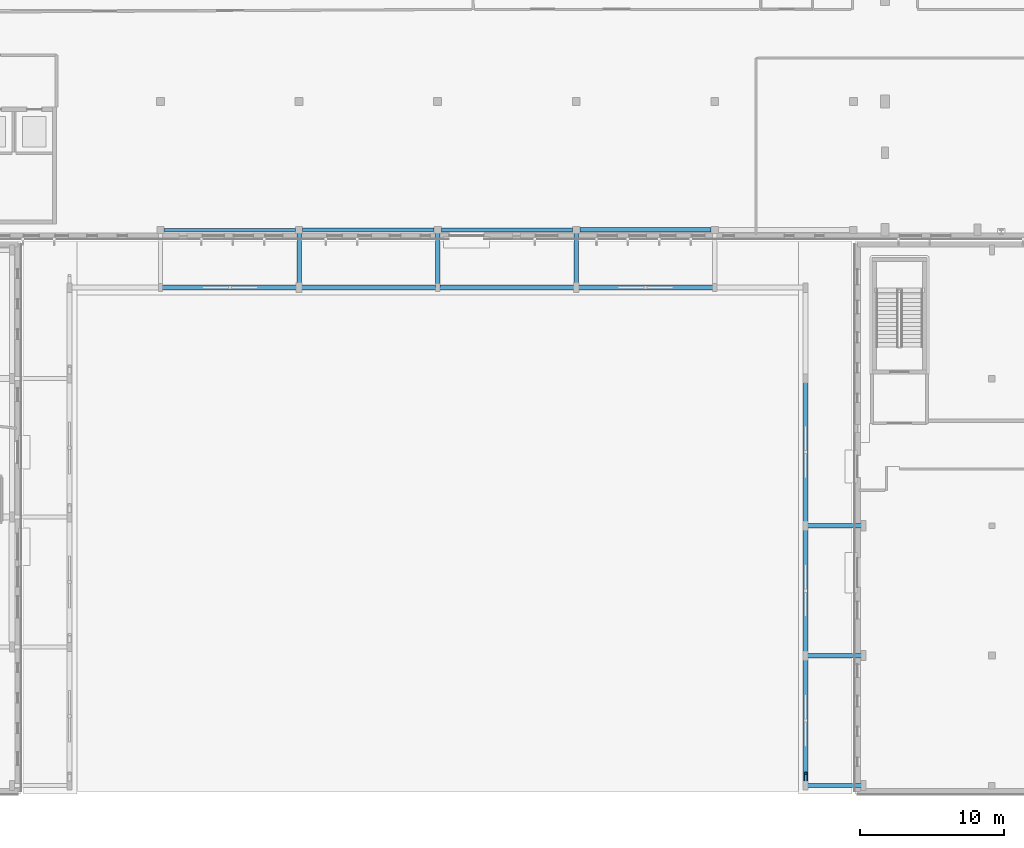
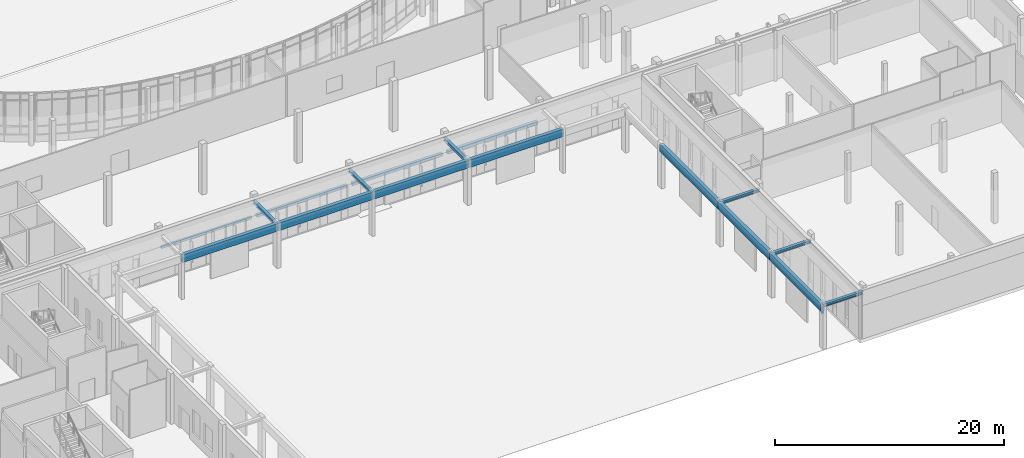
# One storey, part 12 of 84: 17 beams, 1 member.
"""IFC4 building model written with IfcOpenShell, lengths in metres."""

from ifc_helpers import new_model, si_unit, direction, frame, origin, origin_2d, place, context, subcontext, project, spatial, rectangle, hollow_rectangle, i_section, extrude, material, material_profile, profile_set, type_object, element, save


model = new_model("IFC4")

# Units and contexts
model_context = context("Model", 3, precision=1e-05, world=origin(), true_north=direction((0.0, 1.0)))
body_context = subcontext(model_context, "Body", "Model", "MODEL_VIEW")
ifc_project = project(units=[si_unit("LENGTHUNIT", "METRE"), si_unit("AREAUNIT", "SQUARE_METRE"), si_unit("VOLUMEUNIT", "CUBIC_METRE"), si_unit("PLANEANGLEUNIT", "RADIAN"), si_unit("MASSUNIT", "GRAM", prefix="KILO")], contexts=[model_context])

# Site, building, storey
site_placement = place(None, origin())
site = spatial("IfcSite", under=ifc_project, at=site_placement, CompositionType="ELEMENT")
building_placement = place(site_placement, origin())
building = spatial("IfcBuilding", under=site, at=building_placement, Name="Mzevani Central Library", CompositionType="ELEMENT")
storey_placement = place(building_placement, origin())
storey = spatial("IfcBuildingStorey", under=building, at=storey_placement, Name="L00", CompositionType="ELEMENT", Elevation=0.0)

# Member
ifc_material_1 = material(Name="Steel S355J2", Category="steel")
ifc_material_profile_1 = material_profile(ifc_material_1, hollow_rectangle(XDim=0.199951171875, YDim=0.199951171875, WallThickness=0.010009765625, at=origin_2d()), Name="SHS 200x200x10.0")
ifc_profile_set_1 = profile_set([ifc_material_profile_1], Name="Steel S355J2")
member_type = type_object("IfcMemberType", Name="Canopy Outrigger Strut SHS 200x200", PredefinedType="POST", material=ifc_profile_set_1)
member_placement = place(storey_placement, frame((108.699951171875, 4.60009765625, 3.60009765625), z_axis=(0.0, 0.666750067418, 0.7452813882), x_axis=(-1.0, 0.0, 0.0)))
element("IfcMember", 1, at=member_placement, inside=storey, type_object=member_type, Name="L00 Colonnade Outrigger Strut 6", PredefinedType="POST", context=body_context, shape_type="SweptSolid", body=[
    extrude(hollow_rectangle(XDim=0.199951171875, YDim=0.199951171875, WallThickness=0.010009765625, at=origin_2d()), origin(), (0.0, 0.0, 1.0), 1.274658203125),
])

# Beams
ifc_material_profile_2 = material_profile(ifc_material_1, i_section(OverallWidth=0.300048828125, OverallDepth=0.31005859375, WebThickness=0.009033203125, FlangeThickness=0.015380859375, FilletRadius=0.027099609375, at=origin_2d()), Name="HEA 320")
ifc_profile_set_2 = profile_set([ifc_material_profile_2], Name="Steel S355J2")
beam_type_1 = type_object("IfcBeamType", Name="Canopy Tie Beam HEA 320", PredefinedType="BEAM", material=ifc_profile_set_2)
for number, where, z_axis, x_axis, name in (
    (2, (108.699951171875, 4.60009765625, 4.485107421875), (1.0, 0.0, 0.0), (0.0, 1.0, 0.0), "L00 East Colonnade Tie Beam 6"),
    (3, (108.699951171875, 13.60009765625, 4.485107421875), (1.0, 0.0, 0.0), (0.0, 1.0, 0.0), "L00 East Colonnade Tie Beam 7"),
    (4, (108.699951171875, 22.60009765625, 4.485107421875), (1.0, 0.0, 0.0), (0.0, 1.0, 0.0), "L00 East Colonnade Tie Beam 8"),
    (5, (73.60009765625, 39.10009765625, 4.485107421875), (0.0, 1.0, 0.0), (-1.0, 0.0, 0.0), "L00 North Colonnade Tie Beam 12"),
    (6, (83.199951171875, 39.10009765625, 4.485107421875), (0.0, 1.0, 0.0), (-1.0, 0.0, 0.0), "L00 North Colonnade Tie Beam 13"),
    (7, (92.800048828125, 39.10009765625, 4.485107421875), (0.0, 1.0, 0.0), (-1.0, 0.0, 0.0), "L00 North Colonnade Tie Beam 14"),
):
    element("IfcBeam", number, at=place(storey_placement, frame(where, z_axis=z_axis, x_axis=x_axis)), inside=storey, type_object=beam_type_1, Name=name, PredefinedType="BEAM", context=body_context, shape_type="SweptSolid", body=[
        extrude(i_section(OverallWidth=0.300048828125, OverallDepth=0.31005859375, WebThickness=0.009033203125, FlangeThickness=0.015380859375, FilletRadius=0.027099609375, at=origin_2d()), origin(), (0.0, 0.0, 1.0), 4.0),
    ])
ifc_material_2 = material(Name="Precast concrete C40/50", Category="concrete")
ifc_material_profile_3 = material_profile(ifc_material_2, rectangle(XDim=0.35009765625, YDim=0.800048828125, at=origin_2d()), Name="RC SP350x800")
ifc_profile_set_3 = profile_set([ifc_material_profile_3], Name="Precast concrete C40/50")
beam_type_2 = type_object("IfcBeamType", Name="Colonnade Fascia Beam RC 350x800", PredefinedType="SPANDREL", material=ifc_profile_set_3)
for number, where, z_axis, x_axis, name in (
    (8, (108.699951171875, 4.60009765625, 4.239990234375), (0.0, 1.0, 0.0), (-1.0, 0.0, 0.0), "L00 East Colonnade Fascia Beam 1"),
    (9, (108.699951171875, 13.60009765625, 4.239990234375), (0.0, 1.0, 0.0), (-1.0, 0.0, 0.0), "L00 East Colonnade Fascia Beam 2"),
):
    element("IfcBeam", number, at=place(storey_placement, frame(where, z_axis=z_axis, x_axis=x_axis)), inside=storey, type_object=beam_type_2, Name=name, PredefinedType="SPANDREL", context=body_context, shape_type="SweptSolid", body=[
        extrude(rectangle(XDim=0.35009765625, YDim=0.800048828125, at=origin_2d()), origin(), (0.0, 0.0, 1.0), 9.0),
    ])
beam_1_placement = place(storey_placement, frame((108.699951171875, 22.60009765625, 4.239990234375), z_axis=(0.0, 1.0, 0.0), x_axis=(-1.0, 0.0, 0.0)))
element("IfcBeam", 10, at=beam_1_placement, inside=storey, type_object=beam_type_2, Name="L00 East Colonnade Fascia Beam 3", PredefinedType="SPANDREL", context=body_context, shape_type="SweptSolid", body=[
    extrude(rectangle(XDim=0.35009765625, YDim=0.800048828125, at=origin_2d()), origin(), (0.0, 0.0, 1.0), 10.199951171875),
])
beam_2_placement = place(storey_placement, frame((64.0, 39.10009765625, 4.239990234375), z_axis=(1.0, 0.0, 0.0), x_axis=(0.0, 1.0, 0.0)))
element("IfcBeam", 11, at=beam_2_placement, inside=storey, type_object=beam_type_2, Name="L00 North Colonnade Fascia Beam 2", PredefinedType="SPANDREL", context=body_context, shape_type="SweptSolid", body=[
    extrude(rectangle(XDim=0.35009765625, YDim=0.800048828125, at=origin_2d()), origin(), (0.0, 0.0, 1.0), 9.60009765625),
])
beam_3_placement = place(storey_placement, frame((73.60009765625, 39.10009765625, 4.239990234375), z_axis=(1.0, 0.0, 0.0), x_axis=(0.0, 1.0, 0.0)))
element("IfcBeam", 12, at=beam_3_placement, inside=storey, type_object=beam_type_2, Name="L00 North Colonnade Fascia Beam 3", PredefinedType="SPANDREL", context=body_context, shape_type="SweptSolid", body=[
    extrude(rectangle(XDim=0.35009765625, YDim=0.800048828125, at=origin_2d()), origin(), (0.0, 0.0, 1.0), 9.599853515625),
])
beam_4_placement = place(storey_placement, frame((83.199951171875, 39.10009765625, 4.239990234375), z_axis=(1.0, 0.0, 0.0), x_axis=(0.0, 1.0, 0.0)))
element("IfcBeam", 13, at=beam_4_placement, inside=storey, type_object=beam_type_2, Name="L00 North Colonnade Fascia Beam 4", PredefinedType="SPANDREL", context=body_context, shape_type="SweptSolid", body=[
    extrude(rectangle(XDim=0.35009765625, YDim=0.800048828125, at=origin_2d()), origin(), (0.0, 0.0, 1.0), 9.60009765625),
])
beam_5_placement = place(storey_placement, frame((92.800048828125, 39.10009765625, 4.239990234375), z_axis=(1.0, 0.0, 0.0), x_axis=(0.0, 1.0, 0.0)))
element("IfcBeam", 14, at=beam_5_placement, inside=storey, type_object=beam_type_2, Name="L00 North Colonnade Fascia Beam 5", PredefinedType="SPANDREL", context=body_context, shape_type="SweptSolid", body=[
    extrude(rectangle(XDim=0.35009765625, YDim=0.800048828125, at=origin_2d()), origin(), (0.0, 0.0, 1.0), 9.599853515625),
])
ifc_material_profile_4 = material_profile(ifc_material_2, rectangle(XDim=0.199951171875, YDim=0.25, at=origin_2d()), Name="PC LN200x250")
ifc_profile_set_4 = profile_set([ifc_material_profile_4], Name="Precast concrete C40/50")
beam_type_3 = type_object("IfcBeamType", Name="Precast Window Lintel 200x250", PredefinedType="LINTEL", material=ifc_profile_set_4)
beam_6_placement = place(storey_placement, frame((64.25, 43.10009765625, 2.875), z_axis=(1.0, 0.0, 0.0), x_axis=(0.0, 1.0, 0.0)))
element("IfcBeam", 15, at=beam_6_placement, inside=storey, type_object=beam_type_3, Name="L00 V1 Precast Portal Lintel (1)", PredefinedType="LINTEL", context=body_context, shape_type="SweptSolid", body=[
    extrude(rectangle(XDim=0.199951171875, YDim=0.25, at=origin_2d()), origin(), (0.0, 0.0, 1.0), 9.10009765625),
])
ifc_material_profile_5 = material_profile(ifc_material_2, rectangle(XDim=0.25, YDim=0.300048828125, at=origin_2d()), Name="PC LN250x300")
ifc_profile_set_5 = profile_set([ifc_material_profile_5], Name="Precast concrete C40/50")
beam_type_4 = type_object("IfcBeamType", Name="Precast Window Lintel 250x300", PredefinedType="LINTEL", material=ifc_profile_set_5)
beam_7_placement = place(storey_placement, frame((73.85009765625, 43.10009765625, 2.89990234375), z_axis=(1.0, 0.0, 0.0), x_axis=(0.0, 1.0, 0.0)))
element("IfcBeam", 16, at=beam_7_placement, inside=storey, type_object=beam_type_4, Name="L00 V1 Precast Portal Lintel (2)", PredefinedType="LINTEL", context=body_context, shape_type="SweptSolid", body=[
    extrude(rectangle(XDim=0.25, YDim=0.300048828125, at=origin_2d()), origin(), (0.0, 0.0, 1.0), 9.099853515625),
])
ifc_material_profile_6 = material_profile(ifc_material_2, rectangle(XDim=0.280029296875, YDim=0.320068359375, at=origin_2d()), Name="PC LN280x320")
ifc_profile_set_6 = profile_set([ifc_material_profile_6], Name="Precast concrete C40/50")
beam_type_5 = type_object("IfcBeamType", Name="Precast Window Lintel 280x320", PredefinedType="LINTEL", material=ifc_profile_set_6)
beam_8_placement = place(storey_placement, frame((83.449951171875, 43.10009765625, 2.909912109375), z_axis=(1.0, 0.0, 0.0), x_axis=(0.0, 1.0, 0.0)))
element("IfcBeam", 17, at=beam_8_placement, inside=storey, type_object=beam_type_5, Name="L00 V1 Precast Portal Lintel (3)", PredefinedType="LINTEL", context=body_context, shape_type="SweptSolid", body=[
    extrude(rectangle(XDim=0.280029296875, YDim=0.320068359375, at=origin_2d()), origin(), (0.0, 0.0, 1.0), 9.10009765625),
])
ifc_material_profile_7 = material_profile(ifc_material_2, rectangle(XDim=0.300048828125, YDim=0.35009765625, at=origin_2d()), Name="PC LN300x350")
ifc_profile_set_7 = profile_set([ifc_material_profile_7], Name="Precast concrete C40/50")
beam_type_6 = type_object("IfcBeamType", Name="Precast Window Lintel 300x350", PredefinedType="LINTEL", material=ifc_profile_set_7)
beam_9_placement = place(storey_placement, frame((93.050048828125, 43.10009765625, 2.925048828125), z_axis=(1.0, 0.0, 0.0), x_axis=(0.0, 1.0, 0.0)))
element("IfcBeam", 18, at=beam_9_placement, inside=storey, type_object=beam_type_6, Name="L00 V1 Precast Portal Lintel (4)", PredefinedType="LINTEL", context=body_context, shape_type="SweptSolid", body=[
    extrude(rectangle(XDim=0.300048828125, YDim=0.35009765625, at=origin_2d()), origin(), (0.0, 0.0, 1.0), 9.099853515625),
])

save(model, "model.ifc")
